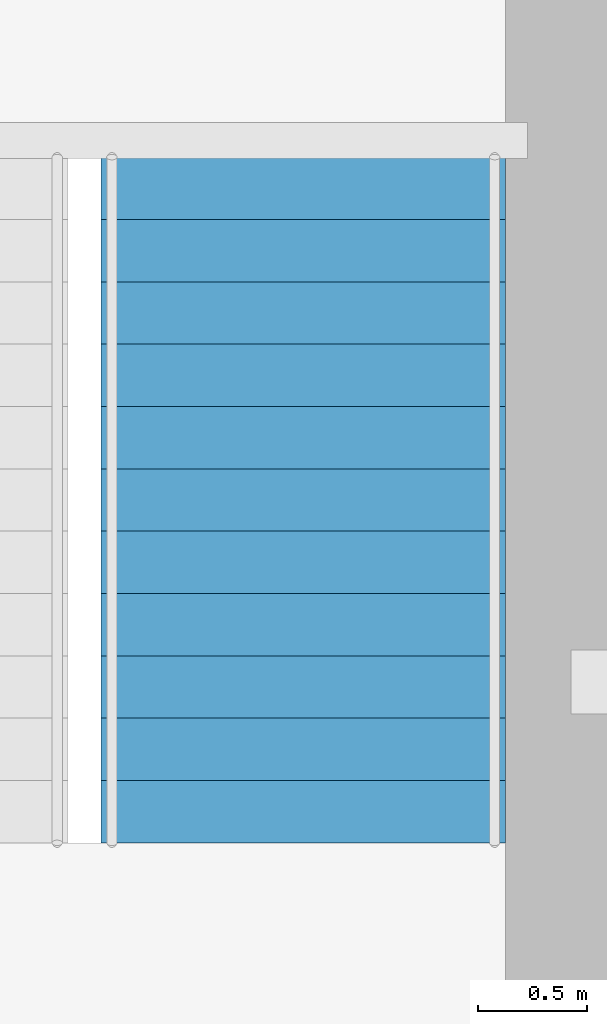
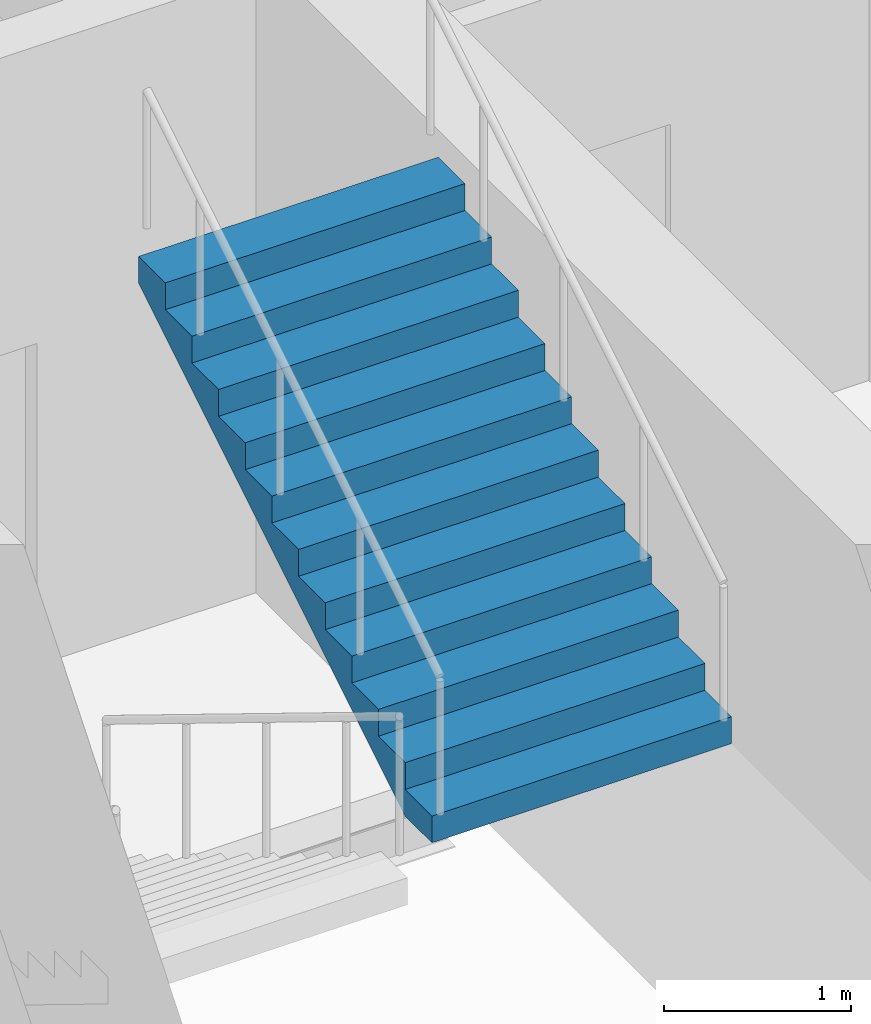
# One storey, part 11 of 13: 1 stair flight, 1 element without a shape of its own.
"""IFC4 building model written with IfcOpenShell, lengths in metres."""

from ifc_helpers import new_model, si_unit, direction, frame, origin, place, context, subcontext, project, spatial, polyline, outline, extrude, material, type_object, element, aggregate, save


model = new_model("IFC4")

# Units and contexts
model_context = context("Model", 3, precision=1e-05, world=origin(), true_north=direction((0.0, 1.0)))
body_context = subcontext(model_context, "Body", "Model", "MODEL_VIEW")
ifc_project = project(units=[si_unit("LENGTHUNIT", "METRE"), si_unit("AREAUNIT", "SQUARE_METRE"), si_unit("VOLUMEUNIT", "CUBIC_METRE"), si_unit("PLANEANGLEUNIT", "RADIAN"), si_unit("MASSUNIT", "GRAM", prefix="KILO")], contexts=[model_context])

# Site, building, storey
site_placement = place(None, origin())
site = spatial("IfcSite", under=ifc_project, at=site_placement, CompositionType="ELEMENT")
building_placement = place(site_placement, origin())
building = spatial("IfcBuilding", under=site, at=building_placement, Name="Corais Broadcast Tower", CompositionType="ELEMENT")
storey_placement = place(building_placement, frame((0.0, 0.0, 87.800048828125)))
storey = spatial("IfcBuildingStorey", under=building, at=storey_placement, Name="L19", CompositionType="ELEMENT", Elevation=87.800048828125)

# Stair, stair flight
ifc_material_1 = material(Name="Concrete C30/37", Category="concrete")
stair_type = type_object("IfcStairType", Name="Half-turn stair 4200", PredefinedType="HALF_TURN_STAIR", material=ifc_material_1)
stair_placement = place(storey_placement, origin())
stair = element("IfcStair", 1, at=stair_placement, inside=storey, type_object=stair_type, Name="Stair B L19", PredefinedType="HALF_TURN_STAIR")
ifc_material_2 = material(Name="Concrete C30/37", Category="concrete")
stair_flight_type = type_object("IfcStairFlightType", Name="Stair flight 4200", PredefinedType="STRAIGHT", material=ifc_material_2)
stair_flight_placement = place(storey_placement, frame((39.27490234375, 26.264892578125, 2.099853515625), z_axis=(0.0, 0.0, 1.0), x_axis=(0.0, 1.0, 0.0)))
stair_flight = element("IfcStairFlight", 2, at=stair_flight_placement, type_object=stair_flight_type, Name="STB flight 2", NumberOfRisers=12, NumberOfTreads=11, PredefinedType="STRAIGHT", RiserHeight=0.175, TreadLength=0.285, context=body_context, shape_type="SweptSolid", body=[
    extrude(outline(polyline([(0.0, 0.0), (0.0, 0.175048828125), (0.284912109375, 0.175048828125), (0.284912109375, 0.35009765625), (0.570068359375, 0.35009765625), (0.570068359375, 0.52490234375), (0.85498046875, 0.52490234375), (0.85498046875, 0.699951171875), (1.139892578125, 0.699951171875), (1.139892578125, 0.875), (1.425048828125, 0.875), (1.425048828125, 1.050048828125), (1.7099609375, 1.050048828125), (1.7099609375, 1.22509765625), (1.9951171875, 1.22509765625), (1.9951171875, 1.39990234375), (2.280029296875, 1.39990234375), (2.280029296875, 1.574951171875), (2.56494140625, 1.574951171875), (2.56494140625, 1.75), (2.85009765625, 1.75), (2.85009765625, 1.925048828125), (3.135009765625, 1.925048828125), (3.135009765625, 2.10009765625), (3.135009765625, 1.7490234375), (0.286376953125, 0.0), (0.0, 0.0)])), frame((0.0, 0.925048828125, 0.0), z_axis=(0.0, -1.0, 0.0), x_axis=(1.0, 0.0, 0.0)), (0.0, 0.0, 1.0), 1.85009765625),
])
aggregate(stair, [stair_flight])

save(model, "model.ifc")
